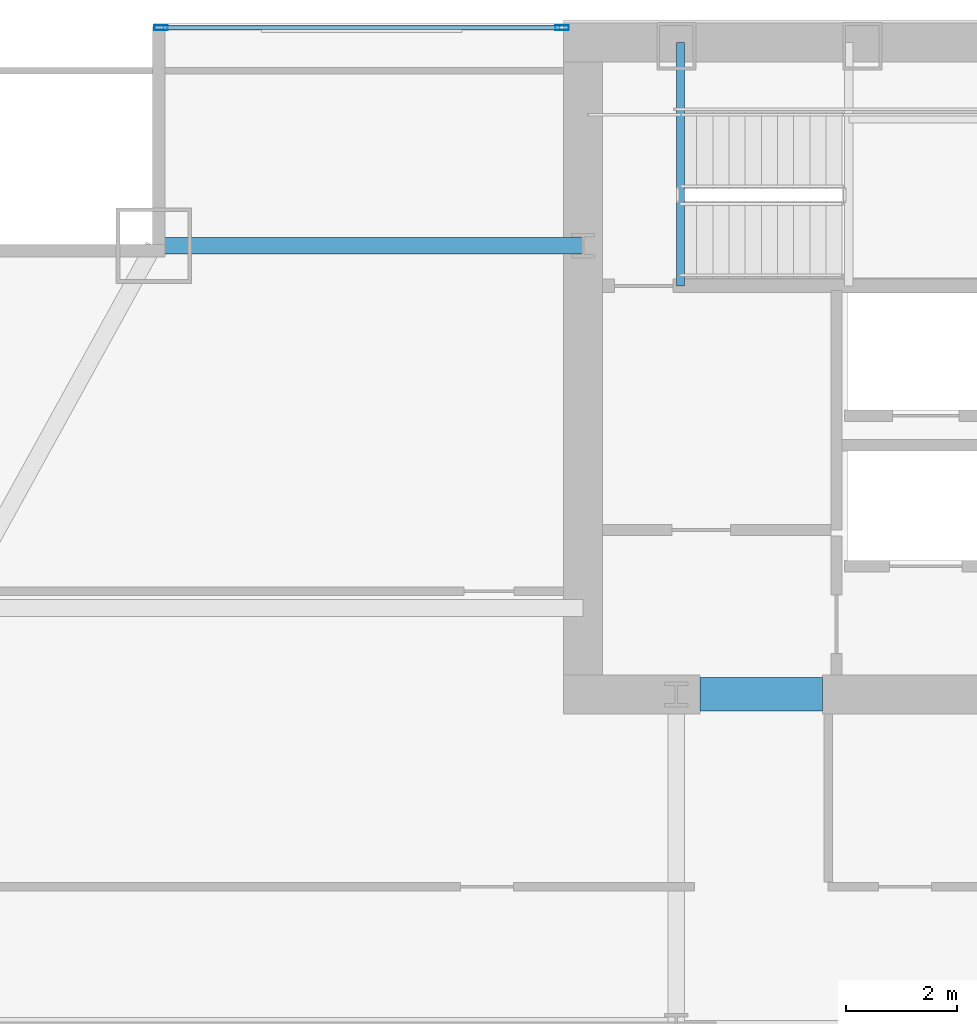
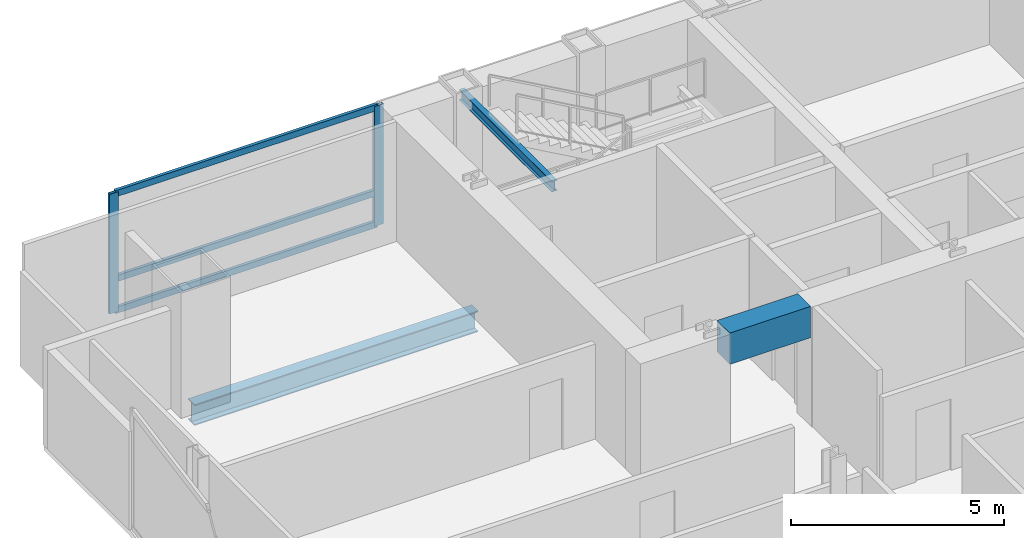
# One storey, part 18 of 29: 5 members, 3 beams, 1 element without a shape of its own.
"""IFC4 building model written with IfcOpenShell, lengths in metres."""

from ifc_helpers import new_model, si_unit, direction, frame, origin, origin_2d, place, context, subcontext, project, spatial, rectangle, hollow_rectangle, i_section, extrude, material, material_profile, profile_set, type_object, element, aggregate, save


model = new_model("IFC4")

# Units and contexts
model_context = context("Model", 3, precision=1e-05, world=origin(), true_north=direction((0.0, 1.0)))
body_context = subcontext(model_context, "Body", "Model", "MODEL_VIEW")
ifc_project = project(units=[si_unit("LENGTHUNIT", "METRE"), si_unit("AREAUNIT", "SQUARE_METRE"), si_unit("VOLUMEUNIT", "CUBIC_METRE"), si_unit("PLANEANGLEUNIT", "RADIAN"), si_unit("MASSUNIT", "GRAM", prefix="KILO")], contexts=[model_context])

# Site, building, storey
site_placement = place(None, origin())
site = spatial("IfcSite", under=ifc_project, at=site_placement, CompositionType="ELEMENT")
building_placement = place(site_placement, origin())
building = spatial("IfcBuilding", under=site, at=building_placement, Name="Khoronbel Lancet Exchange", CompositionType="ELEMENT")
storey_placement = place(building_placement, frame((0.0, 0.0, 139.800048828125)))
storey = spatial("IfcBuildingStorey", under=building, at=storey_placement, Name="L34", CompositionType="ELEMENT", Elevation=139.800048828125)

# Beams
ifc_material_1 = material(Name="Steel S355", Category="steel")
ifc_material_profile_1 = material_profile(ifc_material_1, i_section(OverallWidth=0.14990234375, OverallDepth=0.300048828125, WebThickness=0.007080078125, FlangeThickness=0.0107421875, at=origin_2d()), Name="IPE 300")
ifc_profile_set_1 = profile_set([ifc_material_profile_1], Name="Steel S355")
beam_type_1 = type_object("IfcBeamType", Name="BM-BJ8", PredefinedType="JOIST", material=ifc_profile_set_1)
beam_1_placement = place(storey_placement, frame((18.300048828125, 48.97998046875, 3.159912109375), z_axis=(0.0, 1.0, 0.0), x_axis=(-1.0, 0.0, 0.0)))
element("IfcBeam", 1, at=beam_1_placement, inside=storey, type_object=beam_type_1, Name="Level L34 stair ST1 upper-flight arrival trimmer beam", PredefinedType="JOIST", context=body_context, shape_type="SweptSolid", body=[
    extrude(i_section(OverallWidth=0.14990234375, OverallDepth=0.300048828125, WebThickness=0.007080078125, FlangeThickness=0.0107421875, at=origin_2d()), origin(), (0.0, 0.0, 1.0), 4.3701171875),
])
ifc_material_2 = material(Name="Concrete C80/95", Category="concrete")
ifc_material_profile_2 = material_profile(ifc_material_2, rectangle(XDim=0.60009765625, YDim=0.89990234375, at=origin_2d()), Name="RC 600x900")
ifc_profile_set_2 = profile_set([ifc_material_profile_2], Name="Concrete C80/95")
beam_type_2 = type_object("IfcBeamType", Name="BM-BL1", PredefinedType="LINTEL", material=ifc_profile_set_2)
beam_2_placement = place(storey_placement, frame((18.64990234375, 41.64990234375, 2.989990234375), z_axis=(1.0, 0.0, 0.0), x_axis=(0.0, 1.0, 0.0)))
element("IfcBeam", 2, at=beam_2_placement, inside=storey, type_object=beam_type_2, Name="Level L34 rear core coupling lintel L1", PredefinedType="LINTEL", context=body_context, shape_type="SweptSolid", body=[
    extrude(rectangle(XDim=0.60009765625, YDim=0.89990234375, at=origin_2d()), origin(), (0.0, 0.0, 1.0), 2.2001953125),
])
ifc_material_profile_3 = material_profile(ifc_material_1, i_section(OverallWidth=0.300048828125, OverallDepth=0.60009765625, WebThickness=0.015380859375, FlangeThickness=0.030029296875, at=origin_2d()), Name="HEB 600")
ifc_profile_set_3 = profile_set([ifc_material_profile_3], Name="Steel S355")
beam_type_3 = type_object("IfcBeamType", Name="BM-BSP2", PredefinedType="SPANDREL", material=ifc_profile_set_3)
beam_3_placement = place(storey_placement, frame((8.85009765625, 49.699951171875, -0.4599609375), z_axis=(1.0, 0.0, 0.0), x_axis=(0.0, 1.0, 0.0)))
element("IfcBeam", 3, at=beam_3_placement, inside=storey, type_object=beam_type_3, Name="Level L34 north flank tie spandrel SP22", PredefinedType="SPANDREL", context=body_context, shape_type="SweptSolid", body=[
    extrude(i_section(OverallWidth=0.300048828125, OverallDepth=0.60009765625, WebThickness=0.015380859375, FlangeThickness=0.030029296875, at=origin_2d()), origin(), (0.0, 0.0, 1.0), 7.699951171875),
])

# Curtain wall, members
ifc_material_3 = material(Name="Low-E Solar Control Insulating Glass", Category="glass")
curtain_wall_type = type_object("IfcCurtainWallType", Name="CW-3", PredefinedType="NOTDEFINED", material=ifc_material_3)
curtain_wall_placement = place(storey_placement, origin())
curtain_wall = element("IfcCurtainWall", 4, at=curtain_wall_placement, inside=storey, type_object=curtain_wall_type, Name="Unitised curtain wall CW-L34-NWFLK", PredefinedType="NOTDEFINED")
ifc_material_4 = material(Name="Bronze-Anodised Aluminium 6063-T6", Category="aluminium")
ifc_material_profile_4 = material_profile(ifc_material_4, hollow_rectangle(XDim=0.0849609375, YDim=0.239990234375, WallThickness=0.006103515625, at=origin_2d()), Name="ALU MULLION 85x240")
ifc_profile_set_4 = profile_set([ifc_material_profile_4], Name="Bronze-Anodised Aluminium 6063-T6")
member_type_1 = type_object("IfcMemberType", Name="MEM-CWM1", PredefinedType="MULLION", material=ifc_profile_set_4)
member_1_placement = place(storey_placement, frame((16.177490234375, 53.610107421875, 0.0), z_axis=(0.0, 0.0, 1.0), x_axis=(0.0, -1.0, 0.0)))
member_1 = element("IfcMember", 5, at=member_1_placement, type_object=member_type_1, Name="CW3 mullion 1", PredefinedType="MULLION", context=body_context, shape_type="SweptSolid", body=[
    extrude(hollow_rectangle(XDim=0.0849609375, YDim=0.239990234375, WallThickness=0.006103515625, at=origin_2d()), origin(), (0.0, 0.0, 1.0), 3.43994140625),
])
member_2_placement = place(storey_placement, frame((8.982421875, 53.610107421875, 0.0), z_axis=(0.0, 0.0, 1.0), x_axis=(0.0, -1.0, 0.0)))
member_2 = element("IfcMember", 6, at=member_2_placement, type_object=member_type_1, Name="CW3 mullion 2", PredefinedType="MULLION", context=body_context, shape_type="SweptSolid", body=[
    extrude(hollow_rectangle(XDim=0.0849609375, YDim=0.239990234375, WallThickness=0.006103515625, at=origin_2d()), origin(), (0.0, 0.0, 1.0), 3.43994140625),
])
ifc_material_profile_5 = material_profile(ifc_material_4, hollow_rectangle(XDim=0.0849609375, YDim=0.179931640625, WallThickness=0.0048828125, at=origin_2d()), Name="ALU TRANSOM 85x180")
ifc_profile_set_5 = profile_set([ifc_material_profile_5], Name="Bronze-Anodised Aluminium 6063-T6")
member_type_2 = type_object("IfcMemberType", Name="MEM-CWT1", PredefinedType="USERDEFINED", material=ifc_profile_set_5)
member_3_placement = place(storey_placement, frame((16.135009765625, 53.610107421875, 0.04248046875), z_axis=(-1.0, 0.0, 0.0), x_axis=(0.0, -1.0, 0.0)))
member_3 = element("IfcMember", 7, at=member_3_placement, type_object=member_type_2, Name="CW3 transom 1.1", ObjectType="TRANSOM", PredefinedType="USERDEFINED", context=body_context, shape_type="SweptSolid", body=[
    extrude(hollow_rectangle(XDim=0.0849609375, YDim=0.179931640625, WallThickness=0.0048828125, at=origin_2d()), origin(), (0.0, 0.0, 1.0), 7.110107421875),
])
member_4_placement = place(storey_placement, frame((16.135009765625, 53.610107421875, 0.949951171875), z_axis=(-1.0, 0.0, 0.0), x_axis=(0.0, -1.0, 0.0)))
member_4 = element("IfcMember", 8, at=member_4_placement, type_object=member_type_2, Name="CW3 transom 1.2", ObjectType="TRANSOM", PredefinedType="USERDEFINED", context=body_context, shape_type="SweptSolid", body=[
    extrude(hollow_rectangle(XDim=0.0849609375, YDim=0.179931640625, WallThickness=0.0048828125, at=origin_2d()), origin(), (0.0, 0.0, 1.0), 7.110107421875),
])
member_5_placement = place(storey_placement, frame((16.135009765625, 53.610107421875, 3.3974609375), z_axis=(-1.0, 0.0, 0.0), x_axis=(0.0, -1.0, 0.0)))
member_5 = element("IfcMember", 9, at=member_5_placement, type_object=member_type_2, Name="CW3 transom 1.3", ObjectType="TRANSOM", PredefinedType="USERDEFINED", context=body_context, shape_type="SweptSolid", body=[
    extrude(hollow_rectangle(XDim=0.0849609375, YDim=0.179931640625, WallThickness=0.0048828125, at=origin_2d()), origin(), (0.0, 0.0, 1.0), 7.110107421875),
])
aggregate(curtain_wall, [member_1, member_2, member_3, member_4, member_5])

save(model, "model.ifc")
